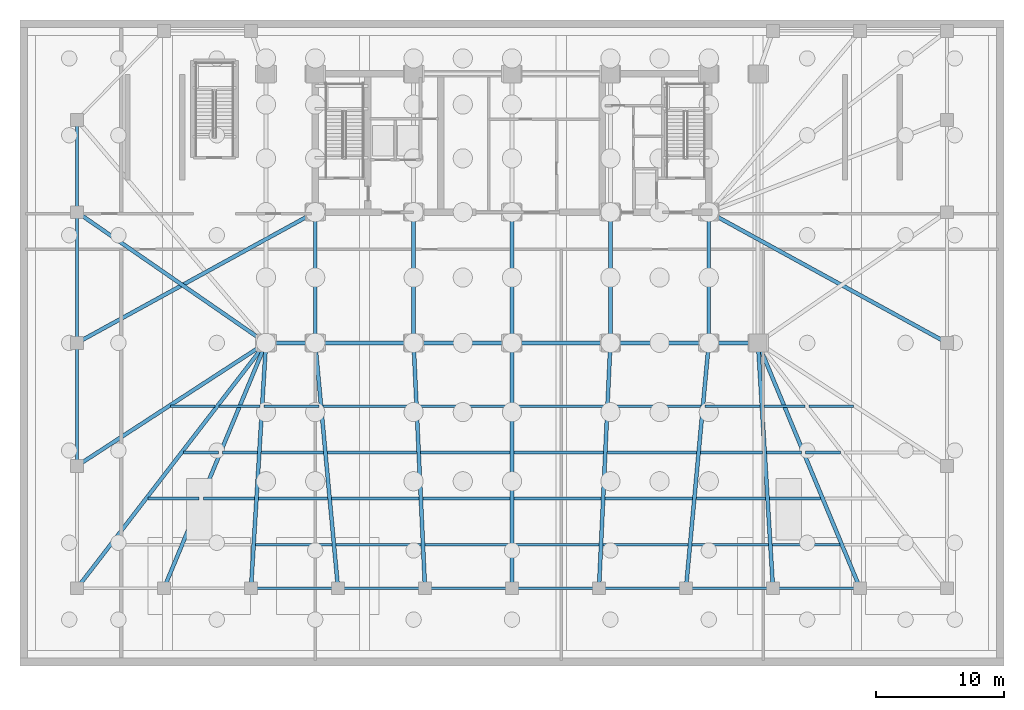
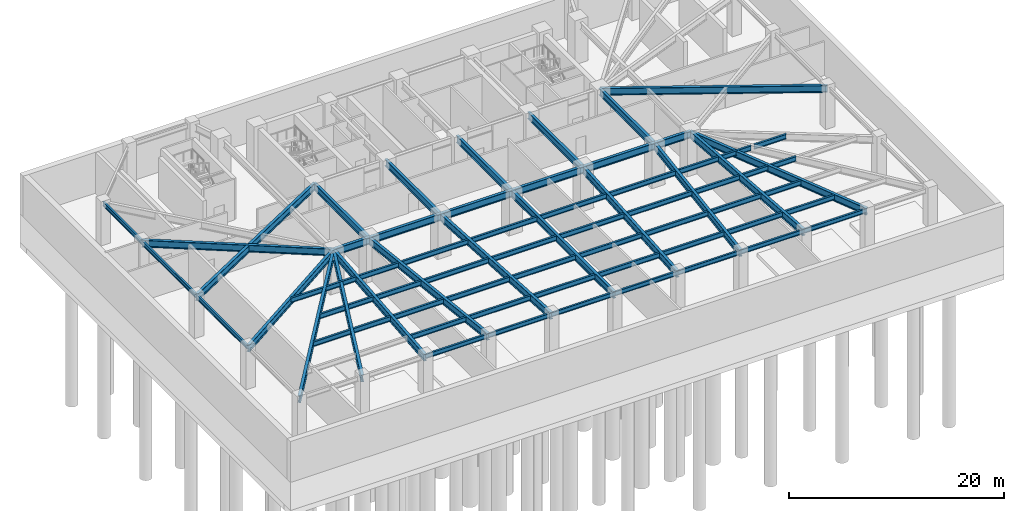
# One storey, part 2 of 9: 71 beams.
"""IFC4 building model written with IfcOpenShell, lengths in metres."""

from ifc_helpers import new_model, si_unit, direction, frame, origin, origin_2d, place, context, subcontext, project, spatial, i_section, extrude, material, material_profile, profile_set, type_object, element, save


model = new_model("IFC4")

# Units and contexts
model_context = context("Model", 3, precision=1e-05, world=origin(), true_north=direction((0.0, 1.0)))
body_context = subcontext(model_context, "Body", "Model", "MODEL_VIEW")
ifc_project = project(units=[si_unit("LENGTHUNIT", "METRE"), si_unit("AREAUNIT", "SQUARE_METRE"), si_unit("VOLUMEUNIT", "CUBIC_METRE"), si_unit("PLANEANGLEUNIT", "RADIAN"), si_unit("MASSUNIT", "GRAM", prefix="KILO")], contexts=[model_context])

# Site, building, storey
site_placement = place(None, origin())
site = spatial("IfcSite", under=ifc_project, at=site_placement, CompositionType="ELEMENT")
building_placement = place(site_placement, origin())
building = spatial("IfcBuilding", under=site, at=building_placement, Name="Yelkora Congress Tower", CompositionType="ELEMENT")
storey_placement = place(building_placement, frame((0.0, 0.0, -10.0)))
storey = spatial("IfcBuildingStorey", under=building, at=storey_placement, Name="B02", CompositionType="ELEMENT", Elevation=-10.0)

# Beams
ifc_material = material(Name="Steel S355J2", Category="steel")
ifc_material_profile_1 = material_profile(ifc_material, i_section(OverallWidth=0.300048828125, OverallDepth=0.800048828125, WebThickness=0.017578125, FlangeThickness=0.032958984375, FilletRadius=0.030029296875, at=origin_2d()), Name="HEB 800")
ifc_profile_set_1 = profile_set([ifc_material_profile_1], Name="Steel S355J2")
beam_type_1 = type_object("IfcBeamType", Name="BM-GIRD-HEB800", PredefinedType="BEAM", material=ifc_profile_set_1)
beam_1_placement = place(storey_placement, frame((19.199951171875, 25.199951171875, 4.25), z_axis=(1.0, 0.0, 0.0), x_axis=(0.0, 1.0, 0.0)))
element("IfcBeam", 1, at=beam_1_placement, inside=storey, type_object=beam_type_1, Name="B02 Spine Grid D Girder 1", PredefinedType="BEAM", context=body_context, shape_type="SweptSolid", body=[
    extrude(i_section(OverallWidth=0.300048828125, OverallDepth=0.800048828125, WebThickness=0.017578125, FlangeThickness=0.032958984375, FilletRadius=0.030029296875, at=origin_2d()), origin(), (0.0, 0.0, 1.0), 3.840087890625),
])
for number, where, z_axis, x_axis, name in (
    (2, (23.0400390625, 25.199951171875, 4.25), (1.0, 0.0, 0.0), (0.0, 1.0, 0.0), "B02 Spine Grid D Girder 2"),
    (3, (30.719970703125, 25.199951171875, 4.25), (1.0, 0.0, 0.0), (0.0, 1.0, 0.0), "B02 Spine Grid D Girder 3"),
):
    element("IfcBeam", number, at=place(storey_placement, frame(where, z_axis=z_axis, x_axis=x_axis)), inside=storey, type_object=beam_type_1, Name=name, PredefinedType="BEAM", context=body_context, shape_type="SweptSolid", body=[
        extrude(i_section(OverallWidth=0.300048828125, OverallDepth=0.800048828125, WebThickness=0.017578125, FlangeThickness=0.032958984375, FilletRadius=0.030029296875, at=origin_2d()), origin(), (0.0, 0.0, 1.0), 7.679931640625),
    ])
beam_2_placement = place(storey_placement, frame((38.39990234375, 25.199951171875, 4.25), z_axis=(1.0, 0.0, 0.0), x_axis=(0.0, 1.0, 0.0)))
element("IfcBeam", 4, at=beam_2_placement, inside=storey, type_object=beam_type_1, Name="B02 Spine Grid D Girder 4", PredefinedType="BEAM", context=body_context, shape_type="SweptSolid", body=[
    extrude(i_section(OverallWidth=0.300048828125, OverallDepth=0.800048828125, WebThickness=0.017578125, FlangeThickness=0.032958984375, FilletRadius=0.030029296875, at=origin_2d()), origin(), (0.0, 0.0, 1.0), 7.68017578125),
])
beam_3_placement = place(storey_placement, frame((46.080078125, 25.199951171875, 4.25), z_axis=(1.0, 0.0, 0.0), x_axis=(0.0, 1.0, 0.0)))
element("IfcBeam", 5, at=beam_3_placement, inside=storey, type_object=beam_type_1, Name="B02 Spine Grid D Girder 5", PredefinedType="BEAM", context=body_context, shape_type="SweptSolid", body=[
    extrude(i_section(OverallWidth=0.300048828125, OverallDepth=0.800048828125, WebThickness=0.017578125, FlangeThickness=0.032958984375, FilletRadius=0.030029296875, at=origin_2d()), origin(), (0.0, 0.0, 1.0), 7.679931640625),
])
beam_4_placement = place(storey_placement, frame((53.760009765625, 25.199951171875, 4.25), z_axis=(1.0, 0.0, 0.0), x_axis=(0.0, 1.0, 0.0)))
element("IfcBeam", 6, at=beam_4_placement, inside=storey, type_object=beam_type_1, Name="B02 Spine Grid D Girder 6", PredefinedType="BEAM", context=body_context, shape_type="SweptSolid", body=[
    extrude(i_section(OverallWidth=0.300048828125, OverallDepth=0.800048828125, WebThickness=0.017578125, FlangeThickness=0.032958984375, FilletRadius=0.030029296875, at=origin_2d()), origin(), (0.0, 0.0, 1.0), 3.840087890625),
])
for number, where, z_axis, x_axis, name in (
    (7, (23.0400390625, 25.199951171875, 4.25), (0.0, 1.0, 0.0), (-1.0, 0.0, 0.0), "B02 Core Tie Girder MC-D1"),
    (8, (30.719970703125, 25.199951171875, 4.25), (0.0, 1.0, 0.0), (-1.0, 0.0, 0.0), "B02 Core Tie Girder MC-D2"),
    (9, (38.39990234375, 25.199951171875, 4.25), (0.0, 1.0, 0.0), (-1.0, 0.0, 0.0), "B02 Core Tie Girder MC-D3"),
    (10, (46.080078125, 25.199951171875, 4.25), (0.0, 1.0, 0.0), (-1.0, 0.0, 0.0), "B02 Core Tie Girder MC-D4"),
    (11, (53.760009765625, 25.199951171875, 4.25), (0.0, 1.0, 0.0), (-1.0, 0.0, 0.0), "B02 Core Tie Girder MC-D5"),
):
    element("IfcBeam", number, at=place(storey_placement, frame(where, z_axis=z_axis, x_axis=x_axis)), inside=storey, type_object=beam_type_1, Name=name, PredefinedType="BEAM", context=body_context, shape_type="SweptSolid", body=[
        extrude(i_section(OverallWidth=0.300048828125, OverallDepth=0.800048828125, WebThickness=0.017578125, FlangeThickness=0.032958984375, FilletRadius=0.030029296875, at=origin_2d()), origin(), (0.0, 0.0, 1.0), 10.199951171875),
    ])
beam_5_placement = place(storey_placement, frame((4.449951171875, 6.050048828125, 4.25), z_axis=(0.610212418574, 0.792237845737, 0.0), x_axis=(-0.792237845737, 0.610212418574, 0.0)))
element("IfcBeam", 12, at=beam_5_placement, inside=storey, type_object=beam_type_1, Name="B02 Primary Frame Girder PS01", PredefinedType="BEAM", context=body_context, shape_type="SweptSolid", body=[
    extrude(i_section(OverallWidth=0.300048828125, OverallDepth=0.800048828125, WebThickness=0.017578125, FlangeThickness=0.032958984375, FilletRadius=0.030029296875, at=origin_2d()), origin(), (0.0, 0.0, 1.0), 24.171875),
])
beam_6_placement = place(storey_placement, frame((11.239990234375, 6.050048828125, 4.25), z_axis=(0.383827816401, 0.923404682334, 0.0), x_axis=(-0.923404682334, 0.383827816401, 0.0)))
element("IfcBeam", 13, at=beam_6_placement, inside=storey, type_object=beam_type_1, Name="B02 Primary Frame Girder PS02", PredefinedType="BEAM", context=body_context, shape_type="SweptSolid", body=[
    extrude(i_section(OverallWidth=0.300048828125, OverallDepth=0.800048828125, WebThickness=0.017578125, FlangeThickness=0.032958984375, FilletRadius=0.030029296875, at=origin_2d()), origin(), (0.0, 0.0, 1.0), 20.73828125),
])
beam_7_placement = place(storey_placement, frame((18.030029296875, 6.050048828125, 4.25), z_axis=(0.060979146345, 0.99813904027, 0.0), x_axis=(-0.99813904027, 0.060979146345, 0.0)))
element("IfcBeam", 14, at=beam_7_placement, inside=storey, type_object=beam_type_1, Name="B02 Primary Frame Girder PS03", PredefinedType="BEAM", context=body_context, shape_type="SweptSolid", body=[
    extrude(i_section(OverallWidth=0.300048828125, OverallDepth=0.800048828125, WebThickness=0.017578125, FlangeThickness=0.032958984375, FilletRadius=0.030029296875, at=origin_2d()), origin(), (0.0, 0.0, 1.0), 19.185546875),
])
beam_8_placement = place(storey_placement, frame((24.820068359375, 6.050048828125, 4.25), z_axis=(-0.092553417869, 0.995707720589, 0.0), x_axis=(-0.995707720589, -0.092553417869, 0.0)))
element("IfcBeam", 15, at=beam_8_placement, inside=storey, type_object=beam_type_1, Name="B02 Primary Frame Girder PS04", PredefinedType="BEAM", context=body_context, shape_type="SweptSolid", body=[
    extrude(i_section(OverallWidth=0.300048828125, OverallDepth=0.800048828125, WebThickness=0.017578125, FlangeThickness=0.032958984375, FilletRadius=0.030029296875, at=origin_2d()), origin(), (0.0, 0.0, 1.0), 19.232421875),
])
beam_9_placement = place(storey_placement, frame((31.610107421875, 6.050048828125, 4.25), z_axis=(-0.046432437641, 0.998921432714, 0.0), x_axis=(-0.998921432714, -0.046432437641, 0.0)))
element("IfcBeam", 16, at=beam_9_placement, inside=storey, type_object=beam_type_1, Name="B02 Primary Frame Girder PS05", PredefinedType="BEAM", context=body_context, shape_type="SweptSolid", body=[
    extrude(i_section(OverallWidth=0.300048828125, OverallDepth=0.800048828125, WebThickness=0.017578125, FlangeThickness=0.032958984375, FilletRadius=0.030029296875, at=origin_2d()), origin(), (0.0, 0.0, 1.0), 19.170654296875),
])
beam_10_placement = place(storey_placement, frame((38.39990234375, 6.050048828125, 4.25), z_axis=(0.0, 1.0, 0.0), x_axis=(-1.0, 0.0, 0.0)))
element("IfcBeam", 17, at=beam_10_placement, inside=storey, type_object=beam_type_1, Name="B02 Primary Frame Girder PS06", PredefinedType="BEAM", context=body_context, shape_type="SweptSolid", body=[
    extrude(i_section(OverallWidth=0.300048828125, OverallDepth=0.800048828125, WebThickness=0.017578125, FlangeThickness=0.032958984375, FilletRadius=0.030029296875, at=origin_2d()), origin(), (0.0, 0.0, 1.0), 19.14990234375),
])
beam_11_placement = place(storey_placement, frame((45.18994140625, 6.050048828125, 4.25), z_axis=(0.046432437641, 0.998921432714, 0.0), x_axis=(-0.998921432714, 0.046432437641, 0.0)))
element("IfcBeam", 18, at=beam_11_placement, inside=storey, type_object=beam_type_1, Name="B02 Primary Frame Girder PS07", PredefinedType="BEAM", context=body_context, shape_type="SweptSolid", body=[
    extrude(i_section(OverallWidth=0.300048828125, OverallDepth=0.800048828125, WebThickness=0.017578125, FlangeThickness=0.032958984375, FilletRadius=0.030029296875, at=origin_2d()), origin(), (0.0, 0.0, 1.0), 19.170654296875),
])
beam_12_placement = place(storey_placement, frame((51.97998046875, 6.050048828125, 4.25), z_axis=(0.092553417869, 0.995707720589, 0.0), x_axis=(-0.995707720589, 0.092553417869, 0.0)))
element("IfcBeam", 19, at=beam_12_placement, inside=storey, type_object=beam_type_1, Name="B02 Primary Frame Girder PS08", PredefinedType="BEAM", context=body_context, shape_type="SweptSolid", body=[
    extrude(i_section(OverallWidth=0.300048828125, OverallDepth=0.800048828125, WebThickness=0.017578125, FlangeThickness=0.032958984375, FilletRadius=0.030029296875, at=origin_2d()), origin(), (0.0, 0.0, 1.0), 19.232421875),
])
beam_13_placement = place(storey_placement, frame((58.77001953125, 6.050048828125, 4.25), z_axis=(-0.060979146345, 0.99813904027, 0.0), x_axis=(-0.99813904027, -0.060979146345, 0.0)))
element("IfcBeam", 20, at=beam_13_placement, inside=storey, type_object=beam_type_1, Name="B02 Primary Frame Girder PS09", PredefinedType="BEAM", context=body_context, shape_type="SweptSolid", body=[
    extrude(i_section(OverallWidth=0.300048828125, OverallDepth=0.800048828125, WebThickness=0.017578125, FlangeThickness=0.032958984375, FilletRadius=0.030029296875, at=origin_2d()), origin(), (0.0, 0.0, 1.0), 19.185546875),
])
beam_14_placement = place(storey_placement, frame((65.56005859375, 6.050048828125, 4.25), z_axis=(-0.383827816401, 0.923404682334, 0.0), x_axis=(-0.923404682334, -0.383827816401, 0.0)))
element("IfcBeam", 21, at=beam_14_placement, inside=storey, type_object=beam_type_1, Name="B02 Primary Frame Girder PS10", PredefinedType="BEAM", context=body_context, shape_type="SweptSolid", body=[
    extrude(i_section(OverallWidth=0.300048828125, OverallDepth=0.800048828125, WebThickness=0.017578125, FlangeThickness=0.032958984375, FilletRadius=0.030029296875, at=origin_2d()), origin(), (0.0, 0.0, 1.0), 20.73828125),
])
beam_15_placement = place(storey_placement, frame((4.449951171875, 15.60009765625, 4.25), z_axis=(0.83812272066, 0.545481718404, 0.0), x_axis=(-0.545481718404, 0.83812272066, 0.0)))
element("IfcBeam", 22, at=beam_15_placement, inside=storey, type_object=beam_type_1, Name="B02 Primary Frame Girder PW1", PredefinedType="BEAM", context=body_context, shape_type="SweptSolid", body=[
    extrude(i_section(OverallWidth=0.300048828125, OverallDepth=0.800048828125, WebThickness=0.017578125, FlangeThickness=0.032958984375, FilletRadius=0.030029296875, at=origin_2d()), origin(), (0.0, 0.0, 1.0), 17.598876953125),
])
for number, where, z_axis, x_axis, name in (
    (23, (4.449951171875, 25.199951171875, 4.25), (0.876705282536, 0.48102790727, 0.0), (-0.48102790727, 0.876705282536, 0.0), "B02 Primary Frame Girder PW2"),
    (24, (72.35009765625, 25.199951171875, 4.25), (-0.876705282536, 0.48102790727, 0.0), (-0.48102790727, -0.876705282536, 0.0), "B02 Primary Frame Girder PE2"),
):
    element("IfcBeam", number, at=place(storey_placement, frame(where, z_axis=z_axis, x_axis=x_axis)), inside=storey, type_object=beam_type_1, Name=name, PredefinedType="BEAM", context=body_context, shape_type="SweptSolid", body=[
        extrude(i_section(OverallWidth=0.300048828125, OverallDepth=0.800048828125, WebThickness=0.017578125, FlangeThickness=0.032958984375, FilletRadius=0.030029296875, at=origin_2d()), origin(), (0.0, 0.0, 1.0), 21.20458984375),
    ])
beam_16_placement = place(storey_placement, frame((4.449951171875, 35.39990234375, 4.25), z_axis=(0.822494466498, -0.568773111689, 0.0), x_axis=(0.568773111689, 0.822494466498, 0.0)))
element("IfcBeam", 25, at=beam_16_placement, inside=storey, type_object=beam_type_1, Name="B02 Primary Frame Girder PW3", PredefinedType="BEAM", context=body_context, shape_type="SweptSolid", body=[
    extrude(i_section(OverallWidth=0.300048828125, OverallDepth=0.800048828125, WebThickness=0.017578125, FlangeThickness=0.032958984375, FilletRadius=0.030029296875, at=origin_2d()), origin(), (0.0, 0.0, 1.0), 17.933349609375),
])
ifc_material_profile_2 = material_profile(ifc_material, i_section(OverallWidth=0.2099609375, OverallDepth=0.550048828125, WebThickness=0.010986328125, FlangeThickness=0.01708984375, FilletRadius=0.02392578125, at=origin_2d()), Name="IPE 550")
ifc_profile_set_2 = profile_set([ifc_material_profile_2], Name="Steel S355J2")
beam_type_2 = type_object("IfcBeamType", Name="BM-JOIST-IPE550", PredefinedType="JOIST", material=ifc_profile_set_2)
beam_17_placement = place(storey_placement, frame((18.397705078125, 9.449951171875, 4.375), z_axis=(1.0, 0.0, 0.0), x_axis=(0.0, 1.0, 0.0)))
element("IfcBeam", 26, at=beam_17_placement, inside=storey, type_object=beam_type_2, Name="B02 Composite Floor Joist 3", PredefinedType="JOIST", context=body_context, shape_type="SweptSolid", body=[
    extrude(i_section(OverallWidth=0.2099609375, OverallDepth=0.550048828125, WebThickness=0.010986328125, FlangeThickness=0.01708984375, FilletRadius=0.02392578125, at=origin_2d()), origin(), (0.0, 0.0, 1.0), 5.9462890625),
])
for number, where, z_axis, x_axis, name in (
    (27, (24.6640625, 9.449951171875, 4.375), (1.0, 0.0, 0.0), (0.0, 1.0, 0.0), "B02 Composite Floor Joist 4"),
    (28, (31.612060546875, 9.449951171875, 4.375), (1.0, 0.0, 0.0), (0.0, 1.0, 0.0), "B02 Composite Floor Joist 5"),
    (29, (38.56005859375, 9.449951171875, 4.375), (1.0, 0.0, 0.0), (0.0, 1.0, 0.0), "B02 Composite Floor Joist 6"),
    (30, (45.508056640625, 9.449951171875, 4.375), (1.0, 0.0, 0.0), (0.0, 1.0, 0.0), "B02 Composite Floor Joist 7"),
):
    element("IfcBeam", number, at=place(storey_placement, frame(where, z_axis=z_axis, x_axis=x_axis)), inside=storey, type_object=beam_type_2, Name=name, PredefinedType="JOIST", context=body_context, shape_type="SweptSolid", body=[
        extrude(i_section(OverallWidth=0.2099609375, OverallDepth=0.550048828125, WebThickness=0.010986328125, FlangeThickness=0.01708984375, FilletRadius=0.02392578125, at=origin_2d()), origin(), (0.0, 0.0, 1.0), 6.6279296875),
    ])
beam_18_placement = place(storey_placement, frame((52.4560546875, 9.449951171875, 4.375), z_axis=(1.0, 0.0, 0.0), x_axis=(0.0, 1.0, 0.0)))
element("IfcBeam", 31, at=beam_18_placement, inside=storey, type_object=beam_type_2, Name="B02 Composite Floor Joist 8", PredefinedType="JOIST", context=body_context, shape_type="SweptSolid", body=[
    extrude(i_section(OverallWidth=0.2099609375, OverallDepth=0.550048828125, WebThickness=0.010986328125, FlangeThickness=0.01708984375, FilletRadius=0.02392578125, at=origin_2d()), origin(), (0.0, 0.0, 1.0), 5.9462890625),
])
beam_19_placement = place(storey_placement, frame((58.722412109375, 9.449951171875, 4.375), z_axis=(1.0, 0.0, 0.0), x_axis=(0.0, 1.0, 0.0)))
element("IfcBeam", 32, at=beam_19_placement, inside=storey, type_object=beam_type_2, Name="B02 Composite Floor Joist 9", PredefinedType="JOIST", context=body_context, shape_type="SweptSolid", body=[
    extrude(i_section(OverallWidth=0.2099609375, OverallDepth=0.550048828125, WebThickness=0.010986328125, FlangeThickness=0.01708984375, FilletRadius=0.02392578125, at=origin_2d()), origin(), (0.0, 0.0, 1.0), 5.264404296875),
])
beam_20_placement = place(storey_placement, frame((10.001708984375, 13.050048828125, 4.375), z_axis=(1.0, 0.0, 0.0), x_axis=(0.0, 1.0, 0.0)))
element("IfcBeam", 33, at=beam_20_placement, inside=storey, type_object=beam_type_2, Name="B02 Composite Floor Joist 11", PredefinedType="JOIST", context=body_context, shape_type="SweptSolid", body=[
    extrude(i_section(OverallWidth=0.2099609375, OverallDepth=0.550048828125, WebThickness=0.010986328125, FlangeThickness=0.01708984375, FilletRadius=0.02392578125, at=origin_2d()), origin(), (0.0, 0.0, 1.0), 3.988037109375),
])
beam_21_placement = place(storey_placement, frame((14.309814453125, 13.050048828125, 4.375), z_axis=(1.0, 0.0, 0.0), x_axis=(0.0, 1.0, 0.0)))
element("IfcBeam", 34, at=beam_21_placement, inside=storey, type_object=beam_type_2, Name="B02 Composite Floor Joist 12", PredefinedType="JOIST", context=body_context, shape_type="SweptSolid", body=[
    extrude(i_section(OverallWidth=0.2099609375, OverallDepth=0.550048828125, WebThickness=0.010986328125, FlangeThickness=0.01708984375, FilletRadius=0.02392578125, at=origin_2d()), origin(), (0.0, 0.0, 1.0), 3.98779296875),
])
beam_22_placement = place(storey_placement, frame((18.61767578125, 13.050048828125, 4.375), z_axis=(1.0, 0.0, 0.0), x_axis=(0.0, 1.0, 0.0)))
element("IfcBeam", 35, at=beam_22_placement, inside=storey, type_object=beam_type_2, Name="B02 Composite Floor Joist 13", PredefinedType="JOIST", context=body_context, shape_type="SweptSolid", body=[
    extrude(i_section(OverallWidth=0.2099609375, OverallDepth=0.550048828125, WebThickness=0.010986328125, FlangeThickness=0.01708984375, FilletRadius=0.02392578125, at=origin_2d()), origin(), (0.0, 0.0, 1.0), 5.3916015625),
])
for number, where, z_axis, x_axis, name in (
    (36, (24.329345703125, 13.050048828125, 4.375), (1.0, 0.0, 0.0), (0.0, 1.0, 0.0), "B02 Composite Floor Joist 14"),
    (37, (31.444580078125, 13.050048828125, 4.375), (1.0, 0.0, 0.0), (0.0, 1.0, 0.0), "B02 Composite Floor Joist 15"),
):
    element("IfcBeam", number, at=place(storey_placement, frame(where, z_axis=z_axis, x_axis=x_axis)), inside=storey, type_object=beam_type_2, Name=name, PredefinedType="JOIST", context=body_context, shape_type="SweptSolid", body=[
        extrude(i_section(OverallWidth=0.2099609375, OverallDepth=0.550048828125, WebThickness=0.010986328125, FlangeThickness=0.01708984375, FilletRadius=0.02392578125, at=origin_2d()), origin(), (0.0, 0.0, 1.0), 6.79541015625),
    ])
beam_23_placement = place(storey_placement, frame((38.56005859375, 13.050048828125, 4.375), z_axis=(1.0, 0.0, 0.0), x_axis=(0.0, 1.0, 0.0)))
element("IfcBeam", 38, at=beam_23_placement, inside=storey, type_object=beam_type_2, Name="B02 Composite Floor Joist 16", PredefinedType="JOIST", context=body_context, shape_type="SweptSolid", body=[
    extrude(i_section(OverallWidth=0.2099609375, OverallDepth=0.550048828125, WebThickness=0.010986328125, FlangeThickness=0.01708984375, FilletRadius=0.02392578125, at=origin_2d()), origin(), (0.0, 0.0, 1.0), 6.795166015625),
])
beam_24_placement = place(storey_placement, frame((45.67529296875, 13.050048828125, 4.375), z_axis=(1.0, 0.0, 0.0), x_axis=(0.0, 1.0, 0.0)))
element("IfcBeam", 39, at=beam_24_placement, inside=storey, type_object=beam_type_2, Name="B02 Composite Floor Joist 17", PredefinedType="JOIST", context=body_context, shape_type="SweptSolid", body=[
    extrude(i_section(OverallWidth=0.2099609375, OverallDepth=0.550048828125, WebThickness=0.010986328125, FlangeThickness=0.01708984375, FilletRadius=0.02392578125, at=origin_2d()), origin(), (0.0, 0.0, 1.0), 6.79541015625),
])
beam_25_placement = place(storey_placement, frame((52.790771484375, 13.050048828125, 4.375), z_axis=(1.0, 0.0, 0.0), x_axis=(0.0, 1.0, 0.0)))
element("IfcBeam", 40, at=beam_25_placement, inside=storey, type_object=beam_type_2, Name="B02 Composite Floor Joist 18", PredefinedType="JOIST", context=body_context, shape_type="SweptSolid", body=[
    extrude(i_section(OverallWidth=0.2099609375, OverallDepth=0.550048828125, WebThickness=0.010986328125, FlangeThickness=0.01708984375, FilletRadius=0.02392578125, at=origin_2d()), origin(), (0.0, 0.0, 1.0), 5.3916015625),
])
beam_26_placement = place(storey_placement, frame((58.502197265625, 13.050048828125, 4.375), z_axis=(1.0, 0.0, 0.0), x_axis=(0.0, 1.0, 0.0)))
element("IfcBeam", 41, at=beam_26_placement, inside=storey, type_object=beam_type_2, Name="B02 Composite Floor Joist 19", PredefinedType="JOIST", context=body_context, shape_type="SweptSolid", body=[
    extrude(i_section(OverallWidth=0.2099609375, OverallDepth=0.550048828125, WebThickness=0.010986328125, FlangeThickness=0.01708984375, FilletRadius=0.02392578125, at=origin_2d()), origin(), (0.0, 0.0, 1.0), 3.988037109375),
])
beam_27_placement = place(storey_placement, frame((12.7744140625, 16.64990234375, 4.375), z_axis=(1.0, 0.0, 0.0), x_axis=(0.0, 1.0, 0.0)))
element("IfcBeam", 42, at=beam_27_placement, inside=storey, type_object=beam_type_2, Name="B02 Composite Floor Joist 21", PredefinedType="JOIST", context=body_context, shape_type="SweptSolid", body=[
    extrude(i_section(OverallWidth=0.2099609375, OverallDepth=0.550048828125, WebThickness=0.010986328125, FlangeThickness=0.01708984375, FilletRadius=0.02392578125, at=origin_2d()), origin(), (0.0, 0.0, 1.0), 2.711669921875),
])
beam_28_placement = place(storey_placement, frame((15.80615234375, 16.64990234375, 4.375), z_axis=(1.0, 0.0, 0.0), x_axis=(0.0, 1.0, 0.0)))
element("IfcBeam", 43, at=beam_28_placement, inside=storey, type_object=beam_type_2, Name="B02 Composite Floor Joist 22", PredefinedType="JOIST", context=body_context, shape_type="SweptSolid", body=[
    extrude(i_section(OverallWidth=0.2099609375, OverallDepth=0.550048828125, WebThickness=0.010986328125, FlangeThickness=0.01708984375, FilletRadius=0.02392578125, at=origin_2d()), origin(), (0.0, 0.0, 1.0), 2.71142578125),
])
beam_29_placement = place(storey_placement, frame((18.837646484375, 16.64990234375, 4.375), z_axis=(1.0, 0.0, 0.0), x_axis=(0.0, 1.0, 0.0)))
element("IfcBeam", 44, at=beam_29_placement, inside=storey, type_object=beam_type_2, Name="B02 Composite Floor Joist 23", PredefinedType="JOIST", context=body_context, shape_type="SweptSolid", body=[
    extrude(i_section(OverallWidth=0.2099609375, OverallDepth=0.550048828125, WebThickness=0.010986328125, FlangeThickness=0.01708984375, FilletRadius=0.02392578125, at=origin_2d()), origin(), (0.0, 0.0, 1.0), 4.837158203125),
])
beam_30_placement = place(storey_placement, frame((23.99462890625, 16.64990234375, 4.375), z_axis=(1.0, 0.0, 0.0), x_axis=(0.0, 1.0, 0.0)))
element("IfcBeam", 45, at=beam_30_placement, inside=storey, type_object=beam_type_2, Name="B02 Composite Floor Joist 24", PredefinedType="JOIST", context=body_context, shape_type="SweptSolid", body=[
    extrude(i_section(OverallWidth=0.2099609375, OverallDepth=0.550048828125, WebThickness=0.010986328125, FlangeThickness=0.01708984375, FilletRadius=0.02392578125, at=origin_2d()), origin(), (0.0, 0.0, 1.0), 6.962890625),
])
for number, where, z_axis, x_axis, name in (
    (46, (31.27734375, 16.64990234375, 4.375), (1.0, 0.0, 0.0), (0.0, 1.0, 0.0), "B02 Composite Floor Joist 25"),
    (47, (38.56005859375, 16.64990234375, 4.375), (1.0, 0.0, 0.0), (0.0, 1.0, 0.0), "B02 Composite Floor Joist 26"),
):
    element("IfcBeam", number, at=place(storey_placement, frame(where, z_axis=z_axis, x_axis=x_axis)), inside=storey, type_object=beam_type_2, Name=name, PredefinedType="JOIST", context=body_context, shape_type="SweptSolid", body=[
        extrude(i_section(OverallWidth=0.2099609375, OverallDepth=0.550048828125, WebThickness=0.010986328125, FlangeThickness=0.01708984375, FilletRadius=0.02392578125, at=origin_2d()), origin(), (0.0, 0.0, 1.0), 6.962646484375),
    ])
beam_31_placement = place(storey_placement, frame((45.842529296875, 16.64990234375, 4.375), z_axis=(1.0, 0.0, 0.0), x_axis=(0.0, 1.0, 0.0)))
element("IfcBeam", 48, at=beam_31_placement, inside=storey, type_object=beam_type_2, Name="B02 Composite Floor Joist 27", PredefinedType="JOIST", context=body_context, shape_type="SweptSolid", body=[
    extrude(i_section(OverallWidth=0.2099609375, OverallDepth=0.550048828125, WebThickness=0.010986328125, FlangeThickness=0.01708984375, FilletRadius=0.02392578125, at=origin_2d()), origin(), (0.0, 0.0, 1.0), 6.962890625),
])
beam_32_placement = place(storey_placement, frame((53.125244140625, 16.64990234375, 4.375), z_axis=(1.0, 0.0, 0.0), x_axis=(0.0, 1.0, 0.0)))
element("IfcBeam", 49, at=beam_32_placement, inside=storey, type_object=beam_type_2, Name="B02 Composite Floor Joist 28", PredefinedType="JOIST", context=body_context, shape_type="SweptSolid", body=[
    extrude(i_section(OverallWidth=0.2099609375, OverallDepth=0.550048828125, WebThickness=0.010986328125, FlangeThickness=0.01708984375, FilletRadius=0.02392578125, at=origin_2d()), origin(), (0.0, 0.0, 1.0), 4.837158203125),
])
for number, where, z_axis, x_axis, name in (
    (50, (58.282470703125, 16.64990234375, 4.375), (1.0, 0.0, 0.0), (0.0, 1.0, 0.0), "B02 Composite Floor Joist 29"),
    (51, (61.31396484375, 16.64990234375, 4.375), (1.0, 0.0, 0.0), (0.0, 1.0, 0.0), "B02 Composite Floor Joist 30"),
):
    element("IfcBeam", number, at=place(storey_placement, frame(where, z_axis=z_axis, x_axis=x_axis)), inside=storey, type_object=beam_type_2, Name=name, PredefinedType="JOIST", context=body_context, shape_type="SweptSolid", body=[
        extrude(i_section(OverallWidth=0.2099609375, OverallDepth=0.550048828125, WebThickness=0.010986328125, FlangeThickness=0.01708984375, FilletRadius=0.02392578125, at=origin_2d()), origin(), (0.0, 0.0, 1.0), 2.71142578125),
    ])
beam_33_placement = place(storey_placement, frame((11.75439453125, 20.25, 4.375), z_axis=(1.0, 0.0, 0.0), x_axis=(0.0, 1.0, 0.0)))
element("IfcBeam", 52, at=beam_33_placement, inside=storey, type_object=beam_type_2, Name="B02 Composite Floor Joist 32", PredefinedType="JOIST", context=body_context, shape_type="SweptSolid", body=[
    extrude(i_section(OverallWidth=0.2099609375, OverallDepth=0.550048828125, WebThickness=0.010986328125, FlangeThickness=0.01708984375, FilletRadius=0.02392578125, at=origin_2d()), origin(), (0.0, 0.0, 1.0), 3.472900390625),
])
beam_34_placement = place(storey_placement, frame((15.54736328125, 20.25, 4.375), z_axis=(1.0, 0.0, 0.0), x_axis=(0.0, 1.0, 0.0)))
element("IfcBeam", 53, at=beam_34_placement, inside=storey, type_object=beam_type_2, Name="B02 Composite Floor Joist 33", PredefinedType="JOIST", context=body_context, shape_type="SweptSolid", body=[
    extrude(i_section(OverallWidth=0.2099609375, OverallDepth=0.550048828125, WebThickness=0.010986328125, FlangeThickness=0.01708984375, FilletRadius=0.02392578125, at=origin_2d()), origin(), (0.0, 0.0, 1.0), 3.190185546875),
])
beam_35_placement = place(storey_placement, frame((19.0576171875, 20.25, 4.375), z_axis=(1.0, 0.0, 0.0), x_axis=(0.0, 1.0, 0.0)))
element("IfcBeam", 54, at=beam_35_placement, inside=storey, type_object=beam_type_2, Name="B02 Composite Floor Joist 34", PredefinedType="JOIST", context=body_context, shape_type="SweptSolid", body=[
    extrude(i_section(OverallWidth=0.2099609375, OverallDepth=0.550048828125, WebThickness=0.010986328125, FlangeThickness=0.01708984375, FilletRadius=0.02392578125, at=origin_2d()), origin(), (0.0, 0.0, 1.0), 4.282470703125),
])
for number, where, z_axis, x_axis, name in (
    (55, (23.66015625, 20.25, 4.375), (1.0, 0.0, 0.0), (0.0, 1.0, 0.0), "B02 Composite Floor Joist 35"),
    (56, (31.110107421875, 20.25, 4.375), (1.0, 0.0, 0.0), (0.0, 1.0, 0.0), "B02 Composite Floor Joist 36"),
    (57, (38.56005859375, 20.25, 4.375), (1.0, 0.0, 0.0), (0.0, 1.0, 0.0), "B02 Composite Floor Joist 37"),
    (58, (46.010009765625, 20.25, 4.375), (1.0, 0.0, 0.0), (0.0, 1.0, 0.0), "B02 Composite Floor Joist 38"),
):
    element("IfcBeam", number, at=place(storey_placement, frame(where, z_axis=z_axis, x_axis=x_axis)), inside=storey, type_object=beam_type_2, Name=name, PredefinedType="JOIST", context=body_context, shape_type="SweptSolid", body=[
        extrude(i_section(OverallWidth=0.2099609375, OverallDepth=0.550048828125, WebThickness=0.010986328125, FlangeThickness=0.01708984375, FilletRadius=0.02392578125, at=origin_2d()), origin(), (0.0, 0.0, 1.0), 7.1298828125),
    ])
beam_36_placement = place(storey_placement, frame((53.4599609375, 20.25, 4.375), z_axis=(1.0, 0.0, 0.0), x_axis=(0.0, 1.0, 0.0)))
element("IfcBeam", 59, at=beam_36_placement, inside=storey, type_object=beam_type_2, Name="B02 Composite Floor Joist 39", PredefinedType="JOIST", context=body_context, shape_type="SweptSolid", body=[
    extrude(i_section(OverallWidth=0.2099609375, OverallDepth=0.550048828125, WebThickness=0.010986328125, FlangeThickness=0.01708984375, FilletRadius=0.02392578125, at=origin_2d()), origin(), (0.0, 0.0, 1.0), 4.282470703125),
])
beam_37_placement = place(storey_placement, frame((58.0625, 20.25, 4.375), z_axis=(1.0, 0.0, 0.0), x_axis=(0.0, 1.0, 0.0)))
element("IfcBeam", 60, at=beam_37_placement, inside=storey, type_object=beam_type_2, Name="B02 Composite Floor Joist 40", PredefinedType="JOIST", context=body_context, shape_type="SweptSolid", body=[
    extrude(i_section(OverallWidth=0.2099609375, OverallDepth=0.550048828125, WebThickness=0.010986328125, FlangeThickness=0.01708984375, FilletRadius=0.02392578125, at=origin_2d()), origin(), (0.0, 0.0, 1.0), 3.190185546875),
])
beam_38_placement = place(storey_placement, frame((61.57275390625, 20.25, 4.375), z_axis=(1.0, 0.0, 0.0), x_axis=(0.0, 1.0, 0.0)))
element("IfcBeam", 61, at=beam_38_placement, inside=storey, type_object=beam_type_2, Name="B02 Composite Floor Joist 41", PredefinedType="JOIST", context=body_context, shape_type="SweptSolid", body=[
    extrude(i_section(OverallWidth=0.2099609375, OverallDepth=0.550048828125, WebThickness=0.010986328125, FlangeThickness=0.01708984375, FilletRadius=0.02392578125, at=origin_2d()), origin(), (0.0, 0.0, 1.0), 3.47265625),
])
ifc_material_profile_3 = material_profile(ifc_material, i_section(OverallWidth=0.199951171875, OverallDepth=0.5, WebThickness=0.01025390625, FlangeThickness=0.01611328125, FilletRadius=0.02099609375, at=origin_2d()), Name="IPE 500")
ifc_profile_set_3 = profile_set([ifc_material_profile_3], Name="Steel S355J2")
beam_type_3 = type_object("IfcBeamType", Name="BM-SPAN-IPE500B", PredefinedType="BEAM", material=ifc_profile_set_3)
for number, where, z_axis, x_axis, name in (
    (62, (18.030029296875, 6.050048828125, 4.39990234375), (1.0, 0.0, 0.0), (0.0, 1.0, 0.0), "B02 Perimeter Beam 4"),
    (63, (24.820068359375, 6.050048828125, 4.39990234375), (1.0, 0.0, 0.0), (0.0, 1.0, 0.0), "B02 Perimeter Beam 5"),
):
    element("IfcBeam", number, at=place(storey_placement, frame(where, z_axis=z_axis, x_axis=x_axis)), inside=storey, type_object=beam_type_3, Name=name, PredefinedType="BEAM", context=body_context, shape_type="SweptSolid", body=[
        extrude(i_section(OverallWidth=0.199951171875, OverallDepth=0.5, WebThickness=0.01025390625, FlangeThickness=0.01611328125, FilletRadius=0.02099609375, at=origin_2d()), origin(), (0.0, 0.0, 1.0), 6.7900390625),
    ])
beam_39_placement = place(storey_placement, frame((31.610107421875, 6.050048828125, 4.39990234375), z_axis=(1.0, 0.0, 0.0), x_axis=(0.0, 1.0, 0.0)))
element("IfcBeam", 64, at=beam_39_placement, inside=storey, type_object=beam_type_3, Name="B02 Perimeter Beam 6", PredefinedType="BEAM", context=body_context, shape_type="SweptSolid", body=[
    extrude(i_section(OverallWidth=0.199951171875, OverallDepth=0.5, WebThickness=0.01025390625, FlangeThickness=0.01611328125, FilletRadius=0.02099609375, at=origin_2d()), origin(), (0.0, 0.0, 1.0), 6.789794921875),
])
for number, where, z_axis, x_axis, name in (
    (65, (38.39990234375, 6.050048828125, 4.39990234375), (1.0, 0.0, 0.0), (0.0, 1.0, 0.0), "B02 Perimeter Beam 7"),
    (66, (45.18994140625, 6.050048828125, 4.39990234375), (1.0, 0.0, 0.0), (0.0, 1.0, 0.0), "B02 Perimeter Beam 8"),
    (67, (51.97998046875, 6.050048828125, 4.39990234375), (1.0, 0.0, 0.0), (0.0, 1.0, 0.0), "B02 Perimeter Beam 9"),
    (68, (58.77001953125, 6.050048828125, 4.39990234375), (1.0, 0.0, 0.0), (0.0, 1.0, 0.0), "B02 Perimeter Beam 10"),
):
    element("IfcBeam", number, at=place(storey_placement, frame(where, z_axis=z_axis, x_axis=x_axis)), inside=storey, type_object=beam_type_3, Name=name, PredefinedType="BEAM", context=body_context, shape_type="SweptSolid", body=[
        extrude(i_section(OverallWidth=0.199951171875, OverallDepth=0.5, WebThickness=0.01025390625, FlangeThickness=0.01611328125, FilletRadius=0.02099609375, at=origin_2d()), origin(), (0.0, 0.0, 1.0), 6.7900390625),
    ])
beam_40_placement = place(storey_placement, frame((4.449951171875, 42.60009765625, 4.39990234375), z_axis=(0.0, -1.0, 0.0), x_axis=(1.0, 0.0, 0.0)))
element("IfcBeam", 69, at=beam_40_placement, inside=storey, type_object=beam_type_3, Name="B02 Perimeter Beam 22", PredefinedType="BEAM", context=body_context, shape_type="SweptSolid", body=[
    extrude(i_section(OverallWidth=0.199951171875, OverallDepth=0.5, WebThickness=0.01025390625, FlangeThickness=0.01611328125, FilletRadius=0.02099609375, at=origin_2d()), origin(), (0.0, 0.0, 1.0), 7.2001953125),
])
beam_41_placement = place(storey_placement, frame((4.449951171875, 35.39990234375, 4.39990234375), z_axis=(0.0, -1.0, 0.0), x_axis=(1.0, 0.0, 0.0)))
element("IfcBeam", 70, at=beam_41_placement, inside=storey, type_object=beam_type_3, Name="B02 Perimeter Beam 23", PredefinedType="BEAM", context=body_context, shape_type="SweptSolid", body=[
    extrude(i_section(OverallWidth=0.199951171875, OverallDepth=0.5, WebThickness=0.01025390625, FlangeThickness=0.01611328125, FilletRadius=0.02099609375, at=origin_2d()), origin(), (0.0, 0.0, 1.0), 10.199951171875),
])
beam_42_placement = place(storey_placement, frame((4.449951171875, 25.199951171875, 4.39990234375), z_axis=(0.0, -1.0, 0.0), x_axis=(1.0, 0.0, 0.0)))
element("IfcBeam", 71, at=beam_42_placement, inside=storey, type_object=beam_type_3, Name="B02 Perimeter Beam 24", PredefinedType="BEAM", context=body_context, shape_type="SweptSolid", body=[
    extrude(i_section(OverallWidth=0.199951171875, OverallDepth=0.5, WebThickness=0.01025390625, FlangeThickness=0.01611328125, FilletRadius=0.02099609375, at=origin_2d()), origin(), (0.0, 0.0, 1.0), 9.599853515625),
])

save(model, "model.ifc")
